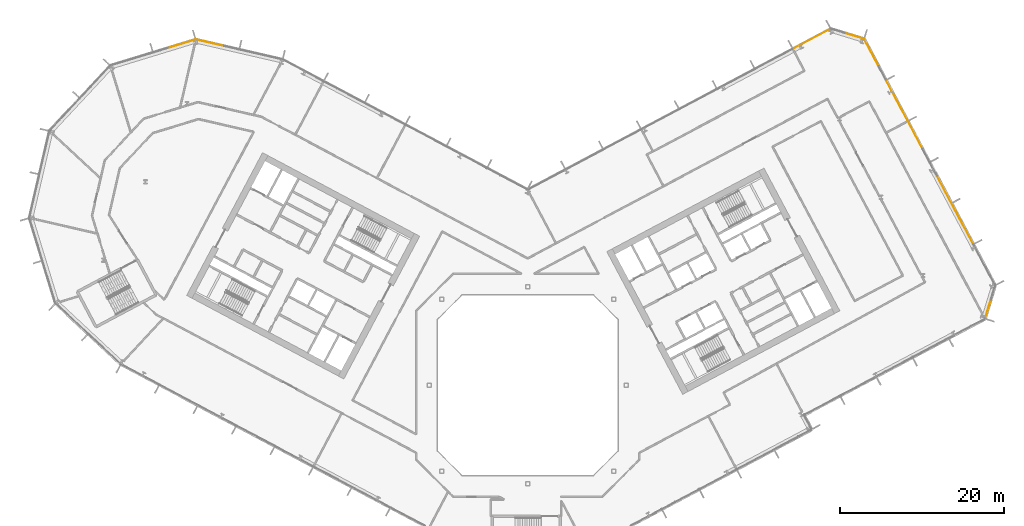
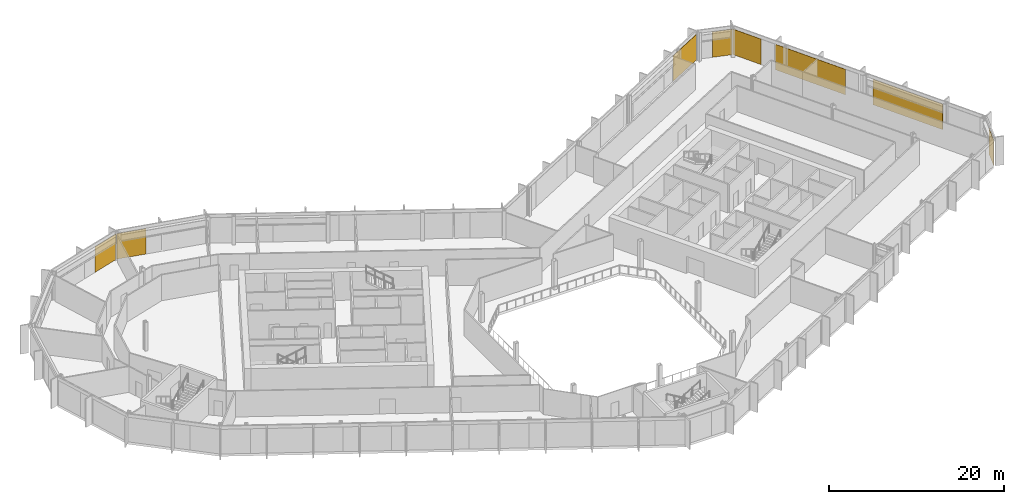
# One storey, part 28 of 28: 8 coverings, 6 elements without a shape of their own.
"""IFC4 building model written with IfcOpenShell, lengths in metres."""

from ifc_helpers import new_model, si_unit, direction, frame, origin, origin_2d, place, context, subcontext, project, spatial, rectangle, extrude, material, layer, layer_set, type_object, element, aggregate, save


model = new_model("IFC4")

# Units and contexts
model_context = context("Model", 3, precision=1e-05, world=origin(), true_north=direction((0.0, 1.0)))
body_context = subcontext(model_context, "Body", "Model", "MODEL_VIEW")
ifc_project = project(units=[si_unit("LENGTHUNIT", "METRE"), si_unit("AREAUNIT", "SQUARE_METRE"), si_unit("VOLUMEUNIT", "CUBIC_METRE"), si_unit("PLANEANGLEUNIT", "RADIAN"), si_unit("MASSUNIT", "GRAM", prefix="KILO")], contexts=[model_context])

# Site, building, storey
site_placement = place(None, origin())
site = spatial("IfcSite", under=ifc_project, at=site_placement, CompositionType="ELEMENT")
building_placement = place(site_placement, origin())
building = spatial("IfcBuilding", under=site, at=building_placement, Name="Cormorant Relay Tower", CompositionType="ELEMENT")
storey_placement = place(building_placement, frame((0.0, 0.0, 174.199951171875)))
storey = spatial("IfcBuildingStorey", under=building, at=storey_placement, Name="L37", CompositionType="ELEMENT", Elevation=174.199951171875)

# Curtain wall, covering
ifc_material_1 = material(Name="Aluminium 6063-T6 anodised bronze", Category="aluminium")
ifc_layer_1 = layer(ifc_material_1, 0.199951171875)
ifc_layer_set_1 = layer_set([ifc_layer_1], Name="CW1 unitised bronze curtain wall with vertical fins")
curtain_wall_type = type_object("IfcCurtainWallType", Name="CW1 unitised bronze curtain wall with vertical fins", PredefinedType="NOTDEFINED", material=ifc_layer_set_1)
curtain_wall_1_placement = place(storey_placement, origin())
curtain_wall_1 = element("IfcCurtainWall", 1, at=curtain_wall_1_placement, inside=storey, type_object=curtain_wall_type, Name="CW1 curtain wall 5", PredefinedType="NOTDEFINED")
ifc_material_2 = material(Name="Pale bronze anodised aluminium insulated panel", Category="aluminium")
ifc_layer_2 = layer(ifc_material_2, 0.0400390625)
ifc_layer_set_2 = layer_set([ifc_layer_2], Name="CW1 pale bronze insulated panel 40")
covering_type = type_object("IfcCoveringType", Name="CW1 pale bronze insulated panel 40", PredefinedType="CLADDING", material=ifc_layer_set_2)
covering_1_placement = place(storey_placement, frame((56.103515625, 9.303955078125, 0.0), z_axis=(0.0, 0.0, 1.0), x_axis=(0.292371704723, 0.956304755963, 0.0)))
covering_1 = element("IfcCovering", 2, at=covering_1_placement, type_object=covering_type, Name="CW1 panel S00", PredefinedType="CLADDING", context=body_context, shape_type="SweptSolid", body=[
    extrude(rectangle(XDim=2.36767578125, YDim=0.0400390625, at=origin_2d()), origin(), (0.0, 0.0, 1.0), 3.550048828125),
])
aggregate(curtain_wall_1, [covering_1])

# Curtain wall, coverings
curtain_wall_2_placement = place(storey_placement, origin())
curtain_wall_2 = element("IfcCurtainWall", 3, at=curtain_wall_2_placement, inside=storey, type_object=curtain_wall_type, Name="CW1 curtain wall 6", PredefinedType="NOTDEFINED")
covering_2_placement = place(storey_placement, frame((52.076171875, 21.384765625, 0.0), z_axis=(0.0, 0.0, 1.0), x_axis=(-0.469471562786, 0.882947592859, 0.0)))
covering_2 = element("IfcCovering", 4, at=covering_2_placement, type_object=covering_type, Name="CW1 panel S01", PredefinedType="CLADDING", context=body_context, shape_type="SweptSolid", body=[
    extrude(rectangle(XDim=9.38330078125, YDim=0.0400390625, at=origin_2d()), origin(), (0.0, 0.0, 1.0), 3.550048828125),
])
covering_3_placement = place(storey_placement, frame((45.910400390625, 32.980712890625, 0.0), z_axis=(0.0, 0.0, 1.0), x_axis=(-0.469471562786, 0.882947592859, 0.0)))
covering_3 = element("IfcCovering", 5, at=covering_3_placement, type_object=covering_type, Name="CW1 panel S04", PredefinedType="CLADDING", context=body_context, shape_type="SweptSolid", body=[
    extrude(rectangle(XDim=9.38330078125, YDim=0.0400390625, at=origin_2d()), origin(), (0.0, 0.0, 1.0), 3.550048828125),
])
covering_4_placement = place(storey_placement, frame((41.90234375, 40.518798828125, 0.0), z_axis=(0.0, 0.0, 1.0), x_axis=(-0.469471562786, 0.882947592859, 0.0)))
covering_4 = element("IfcCovering", 6, at=covering_4_placement, type_object=covering_type, Name="CW1 panel S06", PredefinedType="CLADDING", context=body_context, shape_type="SweptSolid", body=[
    extrude(rectangle(XDim=3.791748046875, YDim=0.0400390625, at=origin_2d()), origin(), (0.0, 0.0, 1.0), 3.550048828125),
])
aggregate(curtain_wall_2, [covering_2, covering_3, covering_4])

# Curtain wall, covering
curtain_wall_3_placement = place(storey_placement, origin())
curtain_wall_3 = element("IfcCurtainWall", 7, at=curtain_wall_3_placement, inside=storey, type_object=curtain_wall_type, Name="CW1 curtain wall 7", PredefinedType="NOTDEFINED")
covering_5_placement = place(storey_placement, frame((39.796630859375, 42.570556640625, 0.0), z_axis=(0.0, 0.0, 1.0), x_axis=(-0.956304755963, 0.292371704723, 0.0)))
covering_5 = element("IfcCovering", 8, at=covering_5_placement, type_object=covering_type, Name="CW1 panel S00", PredefinedType="CLADDING", context=body_context, shape_type="SweptSolid", body=[
    extrude(rectangle(XDim=2.36767578125, YDim=0.0400390625, at=origin_2d()), origin(), (0.0, 0.0, 1.0), 3.550048828125),
])
aggregate(curtain_wall_3, [covering_5])

curtain_wall_4_placement = place(storey_placement, origin())
curtain_wall_4 = element("IfcCurtainWall", 9, at=curtain_wall_4_placement, inside=storey, type_object=curtain_wall_type, Name="CW1 curtain wall 8", PredefinedType="NOTDEFINED")
covering_6_placement = place(storey_placement, frame((34.619384765625, 42.214111328125, 0.0), z_axis=(0.0, 0.0, 1.0), x_axis=(-0.882947592859, -0.469471562786, 0.0)))
covering_6 = element("IfcCovering", 10, at=covering_6_placement, type_object=covering_type, Name="CW1 panel S00", PredefinedType="CLADDING", context=body_context, shape_type="SweptSolid", body=[
    extrude(rectangle(XDim=5.079345703125, YDim=0.0400390625, at=origin_2d()), origin(), (0.0, 0.0, 1.0), 3.550048828125),
])
aggregate(curtain_wall_4, [covering_6])

curtain_wall_5_placement = place(storey_placement, origin())
curtain_wall_5 = element("IfcCurtainWall", 11, at=curtain_wall_5_placement, inside=storey, type_object=curtain_wall_type, Name="CW1 curtain wall 10", PredefinedType="NOTDEFINED")
covering_7_placement = place(storey_placement, frame((-38.7265625, 41.732421875, 0.0), z_axis=(0.0, 0.0, 1.0), x_axis=(-0.974370064785, 0.224951054344, 0.0)))
covering_7 = element("IfcCovering", 12, at=covering_7_placement, type_object=covering_type, Name="CW1 panel S02", PredefinedType="CLADDING", context=body_context, shape_type="SweptSolid", body=[
    extrude(rectangle(XDim=3.560302734375, YDim=0.0400390625, at=origin_2d()), origin(), (0.0, 0.0, 1.0), 3.550048828125),
])
aggregate(curtain_wall_5, [covering_7])

curtain_wall_6_placement = place(storey_placement, origin())
curtain_wall_6 = element("IfcCurtainWall", 13, at=curtain_wall_6_placement, inside=storey, type_object=curtain_wall_type, Name="CW1 curtain wall 11", PredefinedType="NOTDEFINED")
covering_8_placement = place(storey_placement, frame((-42.209716796875, 41.60107421875, 0.0), z_axis=(0.0, 0.0, 1.0), x_axis=(-0.956304755963, -0.292371704723, 0.0)))
covering_8 = element("IfcCovering", 14, at=covering_8_placement, type_object=covering_type, Name="CW1 panel S00", PredefinedType="CLADDING", context=body_context, shape_type="SweptSolid", body=[
    extrude(rectangle(XDim=3.485107421875, YDim=0.0400390625, at=origin_2d()), origin(), (0.0, 0.0, 1.0), 3.550048828125),
])
aggregate(curtain_wall_6, [covering_8])

save(model, "model.ifc")
